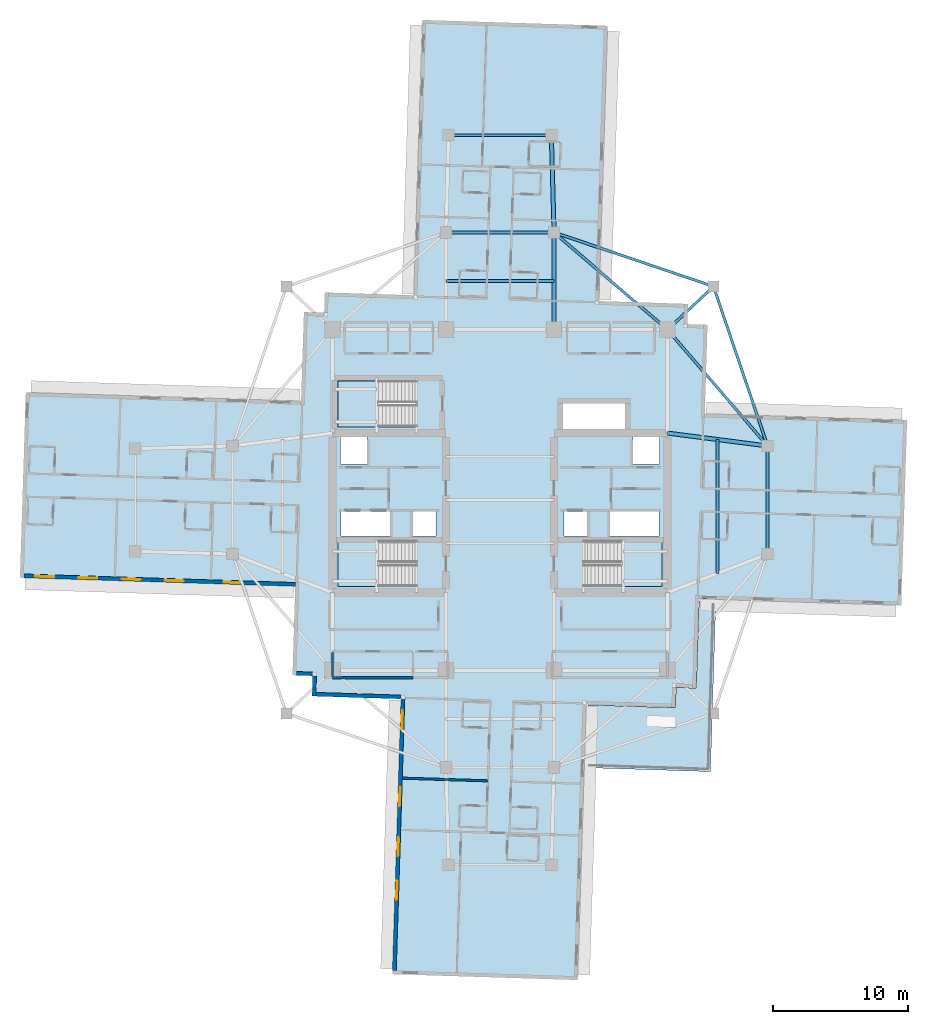
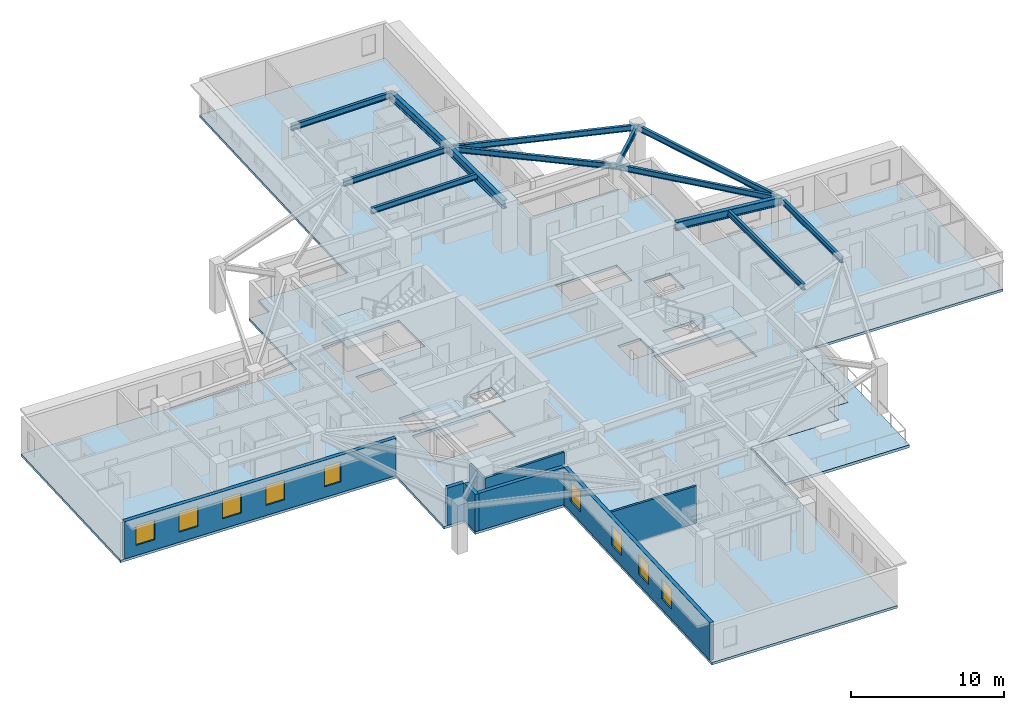
# One storey, part 2 of 14: 13 beams, 9 windows, 8 walls, 5 slabs, 9 openings, 3 elements without a shape of their own.
"""IFC4 building model written with IfcOpenShell, lengths in metres."""

from ifc_helpers import new_model, si_unit, direction, frame, frame_2d, origin, origin_2d, place, context, subcontext, project, spatial, polyline, rectangle, i_section, outline, extrude, material, layer, layer_set, material_profile, profile_set, type_object, element, fill, aggregate, save


model = new_model("IFC4")

# Units and contexts
model_context = context("Model", 3, precision=1e-05, world=origin(), true_north=direction((0.0, 1.0)))
body_context = subcontext(model_context, "Body", "Model", "MODEL_VIEW")
ifc_project = project(units=[si_unit("LENGTHUNIT", "METRE"), si_unit("AREAUNIT", "SQUARE_METRE"), si_unit("VOLUMEUNIT", "CUBIC_METRE"), si_unit("PLANEANGLEUNIT", "RADIAN"), si_unit("MASSUNIT", "GRAM", prefix="KILO")], contexts=[model_context])

# Site, building, storey
site_placement = place(None, origin())
site = spatial("IfcSite", under=ifc_project, at=site_placement, CompositionType="ELEMENT")
building_placement = place(site_placement, origin())
building = spatial("IfcBuilding", under=site, at=building_placement, Name="Qingluan Cross Belvedere", CompositionType="ELEMENT")
storey_placement = place(building_placement, frame((0.0, 0.0, 176.10009765625)))
storey = spatial("IfcBuildingStorey", under=building, at=storey_placement, Name="L44", CompositionType="ELEMENT", Elevation=176.10009765625)

# Beams
ifc_material_1 = material(Name="Steel Q420GJB", Category="steel")
ifc_material_profile_1 = material_profile(ifc_material_1, i_section(OverallWidth=0.199951171875, OverallDepth=0.449951171875, WebThickness=0.009033203125, FlangeThickness=0.013916015625, FilletRadius=0.01611328125, at=origin_2d()), Name="HN450x200x9x14")
ifc_profile_set_1 = profile_set([ifc_material_profile_1], Name="Steel Q420GJB")
beam_type_1 = type_object("IfcBeamType", Name="Steel_Beam_HN450x200x9x14", PredefinedType="JOIST", material=ifc_profile_set_1)
beam_1_placement = place(storey_placement, frame((12.39990234375, 12.60009765625, 3.454833984375), z_axis=(0.728219948308, 0.685343495546, 0.0), x_axis=(-0.685343495546, 0.728219948308, 0.0)))
element("IfcBeam", 1, at=beam_1_placement, inside=storey, type_object=beam_type_1, Name="Corner beam 1 L44-RNE", PredefinedType="JOIST", context=body_context, shape_type="SweptSolid", body=[
    extrude(i_section(OverallWidth=0.199951171875, OverallDepth=0.449951171875, WebThickness=0.009033203125, FlangeThickness=0.013916015625, FilletRadius=0.01611328125, at=origin_2d()), origin(), (0.0, 0.0, 1.0), 4.669189453125),
])
for number, where, z_axis, x_axis, name in (
    (2, (15.800048828125, 15.800048828125, 3.454833984375), (-0.947066283324, 0.321038089628, 0.0), (-0.321038089628, -0.947066283324, 0.0), "Corner beam 2 L44-RNE"),
    (3, (15.800048828125, 15.800048828125, 3.454833984375), (0.321038089628, -0.947066283324, 0.0), (0.947066283324, 0.321038089628, 0.0), "Corner beam 3 L44-RNE"),
):
    element("IfcBeam", number, at=place(storey_placement, frame(where, z_axis=z_axis, x_axis=x_axis)), inside=storey, type_object=beam_type_1, Name=name, PredefinedType="JOIST", context=body_context, shape_type="SweptSolid", body=[
        extrude(i_section(OverallWidth=0.199951171875, OverallDepth=0.449951171875, WebThickness=0.009033203125, FlangeThickness=0.013916015625, FilletRadius=0.01611328125, at=origin_2d()), origin(), (0.0, 0.0, 1.0), 12.45947265625),
    ])
beam_2_placement = place(storey_placement, frame((12.39990234375, 12.60009765625, 3.454833984375), z_axis=(0.652245077546, -0.75800815221, 0.0), x_axis=(0.75800815221, 0.652245077546, 0.0)))
element("IfcBeam", 4, at=beam_2_placement, inside=storey, type_object=beam_type_1, Name="Corner beam 4 L44-RNE", PredefinedType="JOIST", context=body_context, shape_type="SweptSolid", body=[
    extrude(i_section(OverallWidth=0.199951171875, OverallDepth=0.449951171875, WebThickness=0.009033203125, FlangeThickness=0.013916015625, FilletRadius=0.01611328125, at=origin_2d()), origin(), (0.0, 0.0, 1.0), 11.345703125),
])
beam_3_placement = place(storey_placement, frame((12.39990234375, 12.60009765625, 3.454833984375), z_axis=(-0.759255044656, 0.650793190779, 0.0), x_axis=(-0.650793190779, -0.759255044656, 0.0)))
element("IfcBeam", 5, at=beam_3_placement, inside=storey, type_object=beam_type_1, Name="Corner beam 5 L44-RNE", PredefinedType="JOIST", context=body_context, shape_type="SweptSolid", body=[
    extrude(i_section(OverallWidth=0.199951171875, OverallDepth=0.449951171875, WebThickness=0.009033203125, FlangeThickness=0.013916015625, FilletRadius=0.01611328125, at=origin_2d()), origin(), (0.0, 0.0, 1.0), 11.063232421875),
])
beam_4_placement = place(storey_placement, frame((19.800048828125, -4.0, 3.474853515625), z_axis=(0.0, 1.0, 0.0), x_axis=(-1.0, 0.0, 0.0)))
element("IfcBeam", 6, at=beam_4_placement, inside=storey, type_object=beam_type_1, Name="Arm E tie L44", PredefinedType="JOIST", context=body_context, shape_type="SweptSolid", body=[
    extrude(i_section(OverallWidth=0.199951171875, OverallDepth=0.449951171875, WebThickness=0.009033203125, FlangeThickness=0.013916015625, FilletRadius=0.01611328125, at=origin_2d()), origin(), (0.0, 0.0, 1.0), 8.0),
])
beam_5_placement = place(storey_placement, frame((16.10009765625, -5.425048828125, 3.474853515625), z_axis=(0.0, 1.0, 0.0), x_axis=(-1.0, 0.0, 0.0)))
element("IfcBeam", 7, at=beam_5_placement, inside=storey, type_object=beam_type_1, Name="Arm E beam L44", PredefinedType="JOIST", context=body_context, shape_type="SweptSolid", body=[
    extrude(i_section(OverallWidth=0.199951171875, OverallDepth=0.449951171875, WebThickness=0.009033203125, FlangeThickness=0.013916015625, FilletRadius=0.01611328125, at=origin_2d()), origin(), (0.0, 0.0, 1.0), 9.900146484375),
])
for number, where, z_axis, x_axis, name in (
    (8, (-4.0, 19.800048828125, 3.474853515625), (1.0, 0.0, 0.0), (0.0, 1.0, 0.0), "Arm N tie L44"),
    (9, (-4.0, 16.199951171875, 3.474853515625), (1.0, 0.0, 0.0), (0.0, 1.0, 0.0), "Arm N beam L44"),
):
    element("IfcBeam", number, at=place(storey_placement, frame(where, z_axis=z_axis, x_axis=x_axis)), inside=storey, type_object=beam_type_1, Name=name, PredefinedType="JOIST", context=body_context, shape_type="SweptSolid", body=[
        extrude(i_section(OverallWidth=0.199951171875, OverallDepth=0.449951171875, WebThickness=0.009033203125, FlangeThickness=0.013916015625, FilletRadius=0.01611328125, at=origin_2d()), origin(), (0.0, 0.0, 1.0), 8.0),
    ])
beam_6_placement = place(storey_placement, frame((-3.800048828125, 27.0, 3.474853515625), z_axis=(1.0, 0.0, 0.0), x_axis=(0.0, 1.0, 0.0)))
element("IfcBeam", 10, at=beam_6_placement, inside=storey, type_object=beam_type_1, Name="Arm N tip transverse beam L44", PredefinedType="JOIST", context=body_context, shape_type="SweptSolid", body=[
    extrude(i_section(OverallWidth=0.199951171875, OverallDepth=0.449951171875, WebThickness=0.009033203125, FlangeThickness=0.013916015625, FilletRadius=0.01611328125, at=origin_2d()), origin(), (0.0, 0.0, 1.0), 7.60009765625),
])
ifc_material_2 = material(Name="Steel Q420GJB", Category="steel")
ifc_material_profile_2 = material_profile(ifc_material_2, i_section(OverallWidth=0.300048828125, OverallDepth=0.64990234375, WebThickness=0.014404296875, FlangeThickness=0.02587890625, FilletRadius=0.027099609375, at=origin_2d()), Name="HEB650")
ifc_profile_set_2 = profile_set([ifc_material_profile_2], Name="Steel Q420GJB")
beam_type_2 = type_object("IfcBeamType", Name="Steel_Girder_HEB650", PredefinedType="USERDEFINED", material=ifc_profile_set_2)
beam_7_placement = place(storey_placement, frame((12.39990234375, 4.949951171875, 3.375), z_axis=(0.991861120628, -0.12732445714, 0.0), x_axis=(0.12732445714, 0.991861120628, 0.0)))
element("IfcBeam", 11, at=beam_7_placement, inside=storey, type_object=beam_type_2, Name="Arm E radial girder B L44", ObjectType="GIRDER", PredefinedType="USERDEFINED", context=body_context, shape_type="SweptSolid", body=[
    extrude(i_section(OverallWidth=0.300048828125, OverallDepth=0.64990234375, WebThickness=0.014404296875, FlangeThickness=0.02587890625, FilletRadius=0.027099609375, at=origin_2d()), origin(), (0.0, 0.0, 1.0), 7.4609375),
])
beam_8_placement = place(storey_placement, frame((4.0, 12.60009765625, 3.375), z_axis=(0.0, 1.0, 0.0), x_axis=(-1.0, 0.0, 0.0)))
element("IfcBeam", 12, at=beam_8_placement, inside=storey, type_object=beam_type_2, Name="Arm N radial girder B L44", ObjectType="GIRDER", PredefinedType="USERDEFINED", context=body_context, shape_type="SweptSolid", body=[
    extrude(i_section(OverallWidth=0.300048828125, OverallDepth=0.64990234375, WebThickness=0.014404296875, FlangeThickness=0.02587890625, FilletRadius=0.027099609375, at=origin_2d()), origin(), (0.0, 0.0, 1.0), 7.199951171875),
])
beam_9_placement = place(storey_placement, frame((4.0, 19.800048828125, 3.375), z_axis=(-0.027760481514, 0.999614603568, 0.0), x_axis=(-0.999614603568, -0.027760481514, 0.0)))
element("IfcBeam", 13, at=beam_9_placement, inside=storey, type_object=beam_type_2, Name="Arm N outer radial girder B L44", ObjectType="GIRDER", PredefinedType="USERDEFINED", context=body_context, shape_type="SweptSolid", body=[
    extrude(i_section(OverallWidth=0.300048828125, OverallDepth=0.64990234375, WebThickness=0.014404296875, FlangeThickness=0.02587890625, FilletRadius=0.027099609375, at=origin_2d()), origin(), (0.0, 0.0, 1.0), 7.20263671875),
])

# Slab
ifc_material_3 = material(Name="Concrete C40", Category="concrete")
ifc_layer_1 = layer(ifc_material_3, 0.199951171875, Name="FloorSlab_200")
ifc_layer_set_1 = layer_set([ifc_layer_1], Name="Concrete C40")
slab_type_1 = type_object("IfcSlabType", Name="FloorSlab_200", PredefinedType="FLOOR", material=ifc_layer_set_1)
slab_1_placement = place(storey_placement, frame((0.0, 0.0, -0.2001953125)))
element("IfcSlab", 14, at=slab_1_placement, inside=storey, type_object=slab_type_1, Name="Structural floor slab L44", PredefinedType="FLOOR", context=body_context, shape_type="SweptSolid", body=[
    extrude(outline(polyline([(5.747314453125, -35.51806640625), (6.38720703125, -15.148193359375), (12.964111328125, -15.354736328125), (13.01123046875, -13.85546875), (14.510498046875, -13.902587890625), (14.71728515625, -7.325927734375), (29.689697265625, -7.79638671875), (30.12060546875, 5.916748046875), (15.148193359375, 6.38720703125), (15.354736328125, 12.964111328125), (13.85546875, 13.01123046875), (13.902587890625, 14.510498046875), (7.325927734375, 14.71728515625), (7.966064453125, 35.087158203125), (-5.747314453125, 35.51806640625), (-6.38720703125, 15.148193359375), (-12.964111328125, 15.354736328125), (-13.01123046875, 13.85546875), (-14.510498046875, 13.902587890625), (-14.71728515625, 7.325927734375), (-35.087158203125, 7.966064453125), (-35.51806640625, -5.747314453125), (-15.148193359375, -6.38720703125), (-15.354736328125, -12.964111328125), (-13.85546875, -13.01123046875), (-13.902587890625, -14.510498046875), (-7.325927734375, -14.71728515625), (-7.966064453125, -35.087158203125), (5.747314453125, -35.51806640625)]), holes=[polyline([(-12.0, -3.0), (-6.179931640625, -3.0), (-6.179931640625, -6.39990234375), (-12.0, -6.39990234375), (-12.0, -3.0)]), polyline([(6.179931640625, -3.0), (12.0, -3.0), (12.0, -6.39990234375), (6.179931640625, -6.39990234375), (6.179931640625, -3.0)]), polyline([(-12.0, 8.820068359375), (-6.179931640625, 8.820068359375), (-6.179931640625, 5.419921875), (-12.0, 5.419921875), (-12.0, 8.820068359375)]), polyline([(-11.800048828125, 4.64990234375), (-9.85009765625, 4.64990234375), (-9.85009765625, 2.64990234375), (-11.800048828125, 2.64990234375), (-11.800048828125, 4.64990234375)]), polyline([(9.85009765625, 4.64990234375), (11.800048828125, 4.64990234375), (11.800048828125, 2.64990234375), (9.85009765625, 2.64990234375), (9.85009765625, 4.64990234375)]), polyline([(-11.75, -0.840087890625), (-8.14990234375, -0.840087890625), (-8.14990234375, -2.659912109375), (-11.75, -2.659912109375), (-11.75, -0.840087890625)]), polyline([(-6.449951171875, -0.840087890625), (-4.75, -0.840087890625), (-4.75, -2.659912109375), (-6.449951171875, -2.659912109375), (-6.449951171875, -0.840087890625)]), polyline([(4.75, -0.840087890625), (6.449951171875, -0.840087890625), (6.449951171875, -2.659912109375), (4.75, -2.659912109375), (4.75, -0.840087890625)]), polyline([(8.14990234375, -0.840087890625), (11.75, -0.840087890625), (11.75, -2.659912109375), (8.14990234375, -2.659912109375), (8.14990234375, -0.840087890625)]), polyline([(4.64990234375, 7.14990234375), (9.25, 7.14990234375), (9.25, 5.14990234375), (4.64990234375, 5.14990234375), (4.64990234375, 7.14990234375)])]), origin(), (0.0, 0.0, 1.0), 0.2001953125),
])

# Stair, slab
ifc_material_4 = material(Name="Concrete C40", Category="concrete")
stair_type = type_object("IfcStairType", Name="CoreDoglegStair_1620", PredefinedType="HALF_TURN_STAIR", material=ifc_material_4)
stair_1_placement = place(storey_placement, origin())
stair_1 = element("IfcStair", 15, at=stair_1_placement, inside=storey, type_object=stair_type, Name="L44 ST1", PredefinedType="HALF_TURN_STAIR")
ifc_material_5 = material(Name="Concrete C40", Category="concrete")
ifc_layer_2 = layer(ifc_material_5, 0.179931640625, Name="StairLandingSlab_180")
ifc_layer_set_2 = layer_set([ifc_layer_2], Name="Concrete C40")
slab_type_2 = type_object("IfcSlabType", Name="StairLandingSlab_180", PredefinedType="LANDING", material=ifc_layer_set_2)
slab_2_placement = place(storey_placement, frame((0.0, 0.0, 1.75)))
slab_2 = element("IfcSlab", 16, at=slab_2_placement, type_object=slab_type_2, Name="ST1 landing 1", PredefinedType="LANDING", context=body_context, shape_type="SweptSolid", body=[
    extrude(outline(polyline([(-8.97998046875, -3.0), (-12.0, -3.0), (-12.0, -6.39990234375), (-8.97998046875, -6.39990234375), (-8.97998046875, -3.0)])), origin(), (0.0, 0.0, 1.0), 0.199951171875),
])
aggregate(stair_1, [slab_2])

stair_2_placement = place(storey_placement, origin())
stair_2 = element("IfcStair", 17, at=stair_2_placement, inside=storey, type_object=stair_type, Name="L44 ST2", PredefinedType="HALF_TURN_STAIR")
slab_3_placement = place(storey_placement, frame((0.0, 0.0, 1.75)))
slab_3 = element("IfcSlab", 18, at=slab_3_placement, type_object=slab_type_2, Name="ST2 landing 1", PredefinedType="LANDING", context=body_context, shape_type="SweptSolid", body=[
    extrude(outline(polyline([(8.97998046875, -6.39990234375), (12.0, -6.39990234375), (12.0, -3.0), (8.97998046875, -3.0), (8.97998046875, -6.39990234375)])), origin(), (0.0, 0.0, 1.0), 0.199951171875),
])
aggregate(stair_2, [slab_3])

stair_3_placement = place(storey_placement, origin())
stair_3 = element("IfcStair", 19, at=stair_3_placement, inside=storey, type_object=stair_type, Name="L44 ST3", PredefinedType="HALF_TURN_STAIR")
slab_4_placement = place(storey_placement, frame((0.0, 0.0, 1.75)))
slab_4 = element("IfcSlab", 20, at=slab_4_placement, type_object=slab_type_2, Name="ST3 landing 1", PredefinedType="LANDING", context=body_context, shape_type="SweptSolid", body=[
    extrude(outline(polyline([(-8.97998046875, 8.820068359375), (-12.0, 8.820068359375), (-12.0, 5.419921875), (-8.97998046875, 5.419921875), (-8.97998046875, 8.820068359375)])), origin(), (0.0, 0.0, 1.0), 0.199951171875),
])
aggregate(stair_3, [slab_4])

# Slab
ifc_material_6 = material(Name="Concrete C40", Category="concrete")
ifc_layer_3 = layer(ifc_material_6, 0.219970703125, Name="TerraceSlab_220")
ifc_layer_set_3 = layer_set([ifc_layer_3], Name="Concrete C40")
slab_type_3 = type_object("IfcSlabType", Name="TerraceSlab_220", PredefinedType="FLOOR", material=ifc_layer_set_3)
slab_5_placement = place(storey_placement, frame((0.0, 0.0, -0.22021484375)))
element("IfcSlab", 21, at=slab_5_placement, inside=storey, type_object=slab_type_3, Name="Spiralling winter-garden terrace slab L44", PredefinedType="FLOOR", context=body_context, shape_type="SweptSolid", body=[
    extrude(outline(polyline([(14.72265625, -7.466064453125), (14.5185546875, -13.908447265625), (13.02099609375, -13.86572265625), (12.97412109375, -15.35498046875), (12.9658203125, -15.36474609375), (6.527099609375, -15.16259765625), (6.380859375, -19.810302734375), (15.576416015625, -20.09912109375), (15.97216796875, -7.50537109375), (14.72265625, -7.466064453125)])), origin(), (0.0, 0.0, 1.0), 0.22021484375),
])

# Walls
ifc_material_7 = material(Name="Gypsum plasterboard on steel stud acoustic partition", Category="steel")
ifc_layer_4 = layer(ifc_material_7, 0.159912109375, Name="CorridorPartition_160")
ifc_layer_set_4 = layer_set([ifc_layer_4], Name="Gypsum plasterboard on steel stud acoustic partition")
wall_type_1 = type_object("IfcWallType", Name="CorridorPartition_160", PredefinedType="PARTITIONING", material=ifc_layer_set_4)
wall_1_placement = place(storey_placement, frame((-12.39990234375, -13.14990234375, 0.0), z_axis=(0.0, 0.0, 1.0), x_axis=(1.0, 0.0, 0.0)))
element("IfcWall", 22, at=wall_1_placement, inside=storey, type_object=wall_type_1, Name="Partition L44:q_sw1:S", PredefinedType="PARTITIONING", context=body_context, shape_type="SweptSolid", body=[
    extrude(rectangle(XDim=5.949951171875, YDim=0.159912109375, at=frame_2d((2.97509765625, 0.0))), origin(), (0.0, 0.0, 1.0), 2.9599609375),
])
wall_2_placement = place(storey_placement, frame((-12.39990234375, -13.06494140625, 0.0), z_axis=(0.0, 0.0, 1.0), x_axis=(0.0, 1.0, 0.0)))
element("IfcWall", 23, at=wall_2_placement, inside=storey, type_object=wall_type_1, Name="Partition L44:q_sw1:W", PredefinedType="PARTITIONING", context=body_context, shape_type="SweptSolid", body=[
    extrude(rectangle(XDim=1.780029296875, YDim=0.159912109375, at=frame_2d((0.89013671875, 0.0))), origin(), (0.0, 0.0, 1.0), 2.9599609375),
])
wall_3_placement = place(storey_placement, frame((-0.893310546875, -20.7822265625, 0.0), z_axis=(0.0, 0.0, 1.0), x_axis=(-0.999506152458, 0.031423736229, 0.0)))
element("IfcWall", 24, at=wall_3_placement, inside=storey, type_object=wall_type_1, Name="Partition L44:S:d1_0", PredefinedType="PARTITIONING", context=body_context, shape_type="SweptSolid", body=[
    extrude(rectangle(XDim=6.33203125, YDim=0.159912109375, at=frame_2d((3.166015625, 0.0))), origin(), (0.0, 0.0, 1.0), 2.9599609375),
])

# Wall, openings, windows
ifc_material_8 = material(Name="Precast concrete C45", Category="concrete")
ifc_layer_5 = layer(ifc_material_8, 0.280029296875, Name="PrecastFacadeWall_280")
ifc_layer_set_5 = layer_set([ifc_layer_5], Name="Precast concrete C45")
wall_type_2 = type_object("IfcWallType", Name="PrecastFacadeWall_280", PredefinedType="STANDARD", material=ifc_layer_set_5)
wall_4_placement = place(storey_placement, frame((-35.23388671875, -5.6162109375, 0.0), z_axis=(0.0, 0.0, 1.0), x_axis=(0.999506955354, -0.031398187845, 0.0)))
wall_4 = element("IfcWall", 25, at=wall_4_placement, inside=storey, type_object=wall_type_2, Name="Facade wall L44-WB", PredefinedType="STANDARD", context=body_context, shape_type="SweptSolid", body=[
    extrude(rectangle(XDim=20.10009765625, YDim=0.280029296875, at=frame_2d((10.050048828125, 0.0))), origin(), (0.0, 0.0, 1.0), 2.969970703125),
])
opening_1_placement = place(wall_4_placement, frame((0.85009765625, 0.0, 0.800048828125)))
opening_1 = element("IfcOpeningElement", 26, at=opening_1_placement, cuts=wall_4, Name="Opening W-01", PredefinedType="OPENING", context=body_context, shape_type="SweptSolid", body=[
    extrude(rectangle(XDim=1.39990234375, YDim=1.60009765625, at=frame_2d((0.699951171875, 0.800048828125))), frame((0.0, 0.14990234375, 0.0), z_axis=(0.0, -1.0, 0.0), x_axis=(1.0, 0.0, 0.0)), (0.0, 0.0, 1.0), 0.300048828125),
])
opening_2_placement = place(wall_4_placement, frame((4.050048828125, 0.0, 0.800048828125)))
opening_2 = element("IfcOpeningElement", 27, at=opening_2_placement, cuts=wall_4, Name="Opening W-01", PredefinedType="OPENING", context=body_context, shape_type="SweptSolid", body=[
    extrude(rectangle(XDim=1.39990234375, YDim=1.60009765625, at=frame_2d((0.699951171875, 0.800048828125))), frame((0.0, 0.14990234375, 0.0), z_axis=(0.0, -1.0, 0.0), x_axis=(1.0, 0.0, 0.0)), (0.0, 0.0, 1.0), 0.300048828125),
])
opening_3_placement = place(wall_4_placement, frame((7.25, 0.0, 0.800048828125)))
opening_3 = element("IfcOpeningElement", 28, at=opening_3_placement, cuts=wall_4, Name="Opening W-01", PredefinedType="OPENING", context=body_context, shape_type="SweptSolid", body=[
    extrude(rectangle(XDim=1.39990234375, YDim=1.60009765625, at=frame_2d((0.699951171875, 0.800048828125))), frame((0.0, 0.14990234375, 0.0), z_axis=(0.0, -1.0, 0.0), x_axis=(1.0, 0.0, 0.0)), (0.0, 0.0, 1.0), 0.300048828125),
])
opening_4_placement = place(wall_4_placement, frame((10.449951171875, 0.0, 0.800048828125)))
opening_4 = element("IfcOpeningElement", 29, at=opening_4_placement, cuts=wall_4, Name="Opening W-01", PredefinedType="OPENING", context=body_context, shape_type="SweptSolid", body=[
    extrude(rectangle(XDim=1.39990234375, YDim=1.60009765625, at=frame_2d((0.699951171875, 0.800048828125))), frame((0.0, 0.14990234375, 0.0), z_axis=(0.0, -1.0, 0.0), x_axis=(1.0, 0.0, 0.0)), (0.0, 0.0, 1.0), 0.300048828125),
])
opening_5_placement = place(wall_4_placement, frame((14.799072265625, 0.0, 0.85009765625)))
opening_5 = element("IfcOpeningElement", 30, at=opening_5_placement, cuts=wall_4, Name="Opening W-02", PredefinedType="OPENING", context=body_context, shape_type="SweptSolid", body=[
    extrude(rectangle(XDim=1.199951171875, YDim=1.60009765625, at=frame_2d((0.60009765625, 0.800048828125))), frame((0.0, 0.14990234375, 0.0), z_axis=(0.0, -1.0, 0.0), x_axis=(1.0, 0.0, 0.0)), (0.0, 0.0, 1.0), 0.300048828125),
])
ifc_material_9 = material(Name="Thermally broken triple Low-E glass in aluminium frame", Category="aluminium")
window_type_1 = type_object("IfcWindowType", Name="TriRibbonWin_1200x1600", PartitioningType="SINGLE_PANEL", PredefinedType="WINDOW", material=ifc_material_9)
window_1_placement = place(opening_5_placement, origin())
window_1 = element("IfcWindow", 31, at=window_1_placement, inside=storey, type_object=window_type_1, Name="Deluxe guest room 4408 daylight window", OverallHeight=1.60009765625, OverallWidth=1.199951171875, PartitioningType="SINGLE_PANEL", PredefinedType="WINDOW", context=body_context, shape_type="SweptSolid", body=[
    extrude(rectangle(XDim=1.199951171875, YDim=1.60009765625, at=frame_2d((0.60009765625, 0.800048828125))), frame((0.0, 0.030029296875, 0.0), z_axis=(0.0, -1.0, 0.0), x_axis=(1.0, 0.0, 0.0)), (0.0, 0.0, 1.0), 0.06005859375),
])
fill(opening_5, window_1)
ifc_material_10 = material(Name="Thermally broken triple Low-E glass in aluminium frame", Category="aluminium")
window_type_2 = type_object("IfcWindowType", Name="TriRibbonWin_1400x1600", PartitioningType="SINGLE_PANEL", PredefinedType="WINDOW", material=ifc_material_10)
window_2_placement = place(opening_1_placement, origin())
window_2 = element("IfcWindow", 32, at=window_2_placement, inside=storey, type_object=window_type_2, Name="Ribbon window L44-WB-1", OverallHeight=1.60009765625, OverallWidth=1.39990234375, PartitioningType="SINGLE_PANEL", PredefinedType="WINDOW", context=body_context, shape_type="SweptSolid", body=[
    extrude(rectangle(XDim=1.39990234375, YDim=1.60009765625, at=frame_2d((0.699951171875, 0.800048828125))), frame((0.0, 0.030029296875, 0.0), z_axis=(0.0, -1.0, 0.0), x_axis=(1.0, 0.0, 0.0)), (0.0, 0.0, 1.0), 0.06005859375),
])
fill(opening_1, window_2)
window_3_placement = place(opening_2_placement, origin())
window_3 = element("IfcWindow", 33, at=window_3_placement, inside=storey, type_object=window_type_2, Name="Ribbon window L44-WB-2", OverallHeight=1.60009765625, OverallWidth=1.39990234375, PartitioningType="SINGLE_PANEL", PredefinedType="WINDOW", context=body_context, shape_type="SweptSolid", body=[
    extrude(rectangle(XDim=1.39990234375, YDim=1.60009765625, at=frame_2d((0.699951171875, 0.800048828125))), frame((0.0, 0.030029296875, 0.0), z_axis=(0.0, -1.0, 0.0), x_axis=(1.0, 0.0, 0.0)), (0.0, 0.0, 1.0), 0.06005859375),
])
fill(opening_2, window_3)
window_4_placement = place(opening_3_placement, origin())
window_4 = element("IfcWindow", 34, at=window_4_placement, inside=storey, type_object=window_type_2, Name="Ribbon window L44-WB-3", OverallHeight=1.60009765625, OverallWidth=1.39990234375, PartitioningType="SINGLE_PANEL", PredefinedType="WINDOW", context=body_context, shape_type="SweptSolid", body=[
    extrude(rectangle(XDim=1.39990234375, YDim=1.60009765625, at=frame_2d((0.699951171875, 0.800048828125))), frame((0.0, 0.030029296875, 0.0), z_axis=(0.0, -1.0, 0.0), x_axis=(1.0, 0.0, 0.0)), (0.0, 0.0, 1.0), 0.06005859375),
])
fill(opening_3, window_4)
window_5_placement = place(opening_4_placement, origin())
window_5 = element("IfcWindow", 35, at=window_5_placement, inside=storey, type_object=window_type_2, Name="Ribbon window L44-WB-4", OverallHeight=1.60009765625, OverallWidth=1.39990234375, PartitioningType="SINGLE_PANEL", PredefinedType="WINDOW", context=body_context, shape_type="SweptSolid", body=[
    extrude(rectangle(XDim=1.39990234375, YDim=1.60009765625, at=frame_2d((0.699951171875, 0.800048828125))), frame((0.0, 0.030029296875, 0.0), z_axis=(0.0, -1.0, 0.0), x_axis=(1.0, 0.0, 0.0)), (0.0, 0.0, 1.0), 0.06005859375),
])
fill(opening_4, window_5)

wall_5_placement = place(storey_placement, frame((-7.18603515625, -14.721435546875, 0.0), z_axis=(0.0, 0.0, 1.0), x_axis=(-0.031410322165, -0.999506574096, 0.0)))
wall_5 = element("IfcWall", 36, at=wall_5_placement, inside=storey, type_object=wall_type_2, Name="Facade wall L44-SA", PredefinedType="STANDARD", context=body_context, shape_type="SweptSolid", body=[
    extrude(rectangle(XDim=20.10009765625, YDim=0.280029296875, at=frame_2d((10.050048828125, 0.0))), origin(), (0.0, 0.0, 1.0), 2.969970703125),
])
opening_6_placement = place(wall_5_placement, frame((0.85009765625, 0.0, 0.800048828125)))
opening_6 = element("IfcOpeningElement", 37, at=opening_6_placement, cuts=wall_5, Name="Opening W-01", PredefinedType="OPENING", context=body_context, shape_type="SweptSolid", body=[
    extrude(rectangle(XDim=1.39990234375, YDim=1.60009765625, at=frame_2d((0.699951171875, 0.800048828125))), frame((0.0, 0.14990234375, 0.0), z_axis=(0.0, -1.0, 0.0), x_axis=(1.0, 0.0, 0.0)), (0.0, 0.0, 1.0), 0.300048828125),
])
opening_7_placement = place(wall_5_placement, frame((6.550048828125, 0.0, 0.800048828125)))
opening_7 = element("IfcOpeningElement", 38, at=opening_7_placement, cuts=wall_5, Name="Opening W-01", PredefinedType="OPENING", context=body_context, shape_type="SweptSolid", body=[
    extrude(rectangle(XDim=1.39990234375, YDim=1.60009765625, at=frame_2d((0.699951171875, 0.800048828125))), frame((0.0, 0.14990234375, 0.0), z_axis=(0.0, -1.0, 0.0), x_axis=(1.0, 0.0, 0.0)), (0.0, 0.0, 1.0), 0.300048828125),
])
opening_8_placement = place(wall_5_placement, frame((10.25, 0.0, 0.800048828125)))
opening_8 = element("IfcOpeningElement", 39, at=opening_8_placement, cuts=wall_5, Name="Opening W-01", PredefinedType="OPENING", context=body_context, shape_type="SweptSolid", body=[
    extrude(rectangle(XDim=1.39990234375, YDim=1.60009765625, at=frame_2d((0.699951171875, 0.800048828125))), frame((0.0, 0.14990234375, 0.0), z_axis=(0.0, -1.0, 0.0), x_axis=(1.0, 0.0, 0.0)), (0.0, 0.0, 1.0), 0.300048828125),
])
opening_9_placement = place(wall_5_placement, frame((13.449951171875, 0.0, 0.800048828125)))
opening_9 = element("IfcOpeningElement", 40, at=opening_9_placement, cuts=wall_5, Name="Opening W-01", PredefinedType="OPENING", context=body_context, shape_type="SweptSolid", body=[
    extrude(rectangle(XDim=1.39990234375, YDim=1.60009765625, at=frame_2d((0.699951171875, 0.800048828125))), frame((0.0, 0.14990234375, 0.0), z_axis=(0.0, -1.0, 0.0), x_axis=(1.0, 0.0, 0.0)), (0.0, 0.0, 1.0), 0.300048828125),
])
window_6_placement = place(opening_6_placement, origin())
window_6 = element("IfcWindow", 41, at=window_6_placement, inside=storey, type_object=window_type_2, Name="Ribbon window L44-SA-1", OverallHeight=1.60009765625, OverallWidth=1.39990234375, PartitioningType="SINGLE_PANEL", PredefinedType="WINDOW", context=body_context, shape_type="SweptSolid", body=[
    extrude(rectangle(XDim=1.39990234375, YDim=1.60009765625, at=frame_2d((0.699951171875, 0.800048828125))), frame((0.0, 0.030029296875, 0.0), z_axis=(0.0, -1.0, 0.0), x_axis=(1.0, 0.0, 0.0)), (0.0, 0.0, 1.0), 0.06005859375),
])
fill(opening_6, window_6)
window_7_placement = place(opening_7_placement, origin())
window_7 = element("IfcWindow", 42, at=window_7_placement, inside=storey, type_object=window_type_2, Name="Ribbon window L44-SA-2", OverallHeight=1.60009765625, OverallWidth=1.39990234375, PartitioningType="SINGLE_PANEL", PredefinedType="WINDOW", context=body_context, shape_type="SweptSolid", body=[
    extrude(rectangle(XDim=1.39990234375, YDim=1.60009765625, at=frame_2d((0.699951171875, 0.800048828125))), frame((0.0, 0.030029296875, 0.0), z_axis=(0.0, -1.0, 0.0), x_axis=(1.0, 0.0, 0.0)), (0.0, 0.0, 1.0), 0.06005859375),
])
fill(opening_7, window_7)
window_8_placement = place(opening_8_placement, origin())
window_8 = element("IfcWindow", 43, at=window_8_placement, inside=storey, type_object=window_type_2, Name="Ribbon window L44-SA-3", OverallHeight=1.60009765625, OverallWidth=1.39990234375, PartitioningType="SINGLE_PANEL", PredefinedType="WINDOW", context=body_context, shape_type="SweptSolid", body=[
    extrude(rectangle(XDim=1.39990234375, YDim=1.60009765625, at=frame_2d((0.699951171875, 0.800048828125))), frame((0.0, 0.030029296875, 0.0), z_axis=(0.0, -1.0, 0.0), x_axis=(1.0, 0.0, 0.0)), (0.0, 0.0, 1.0), 0.06005859375),
])
fill(opening_8, window_8)
window_9_placement = place(opening_9_placement, origin())
window_9 = element("IfcWindow", 44, at=window_9_placement, inside=storey, type_object=window_type_2, Name="Ribbon window L44-SA-4", OverallHeight=1.60009765625, OverallWidth=1.39990234375, PartitioningType="SINGLE_PANEL", PredefinedType="WINDOW", context=body_context, shape_type="SweptSolid", body=[
    extrude(rectangle(XDim=1.39990234375, YDim=1.60009765625, at=frame_2d((0.699951171875, 0.800048828125))), frame((0.0, 0.030029296875, 0.0), z_axis=(0.0, -1.0, 0.0), x_axis=(1.0, 0.0, 0.0)), (0.0, 0.0, 1.0), 0.06005859375),
])
fill(opening_9, window_9)

# Walls
wall_6_placement = place(storey_placement, frame((-15.070556640625, -12.8330078125, 0.0), z_axis=(0.0, 0.0, 1.0), x_axis=(0.999506398264, -0.031415916822, 0.0)))
element("IfcWall", 45, at=wall_6_placement, inside=storey, type_object=wall_type_2, Name="Corner wall L44-SW2", PredefinedType="STANDARD", context=body_context, shape_type="SweptSolid", body=[
    extrude(rectangle(XDim=1.219970703125, YDim=0.280029296875, at=frame_2d((0.60986328125, 0.0))), origin(), (0.0, 0.0, 1.0), 2.969970703125),
])
wall_7_placement = place(storey_placement, frame((-13.715576171875, -13.015625, 0.0), z_axis=(0.0, 0.0, 1.0), x_axis=(-0.031412596484, -0.999506502621, 0.0)))
element("IfcWall", 46, at=wall_7_placement, inside=storey, type_object=wall_type_2, Name="Corner wall L44-SW3", PredefinedType="STANDARD", context=body_context, shape_type="SweptSolid", body=[
    extrude(rectangle(XDim=1.5, YDim=0.280029296875, at=frame_2d((0.75, 0.0))), origin(), (0.0, 0.0, 1.0), 2.969970703125),
])
wall_8_placement = place(storey_placement, frame((-13.618408203125, -14.37939453125, 0.0), z_axis=(0.0, 0.0, 1.0), x_axis=(0.999507224741, -0.031389611199, 0.0)))
element("IfcWall", 47, at=wall_8_placement, inside=storey, type_object=wall_type_2, Name="Corner wall L44-SW4", PredefinedType="STANDARD", context=body_context, shape_type="SweptSolid", body=[
    extrude(rectangle(XDim=6.300048828125, YDim=0.280029296875, at=frame_2d((3.14990234375, 0.0))), origin(), (0.0, 0.0, 1.0), 2.969970703125),
])

save(model, "model.ifc")
